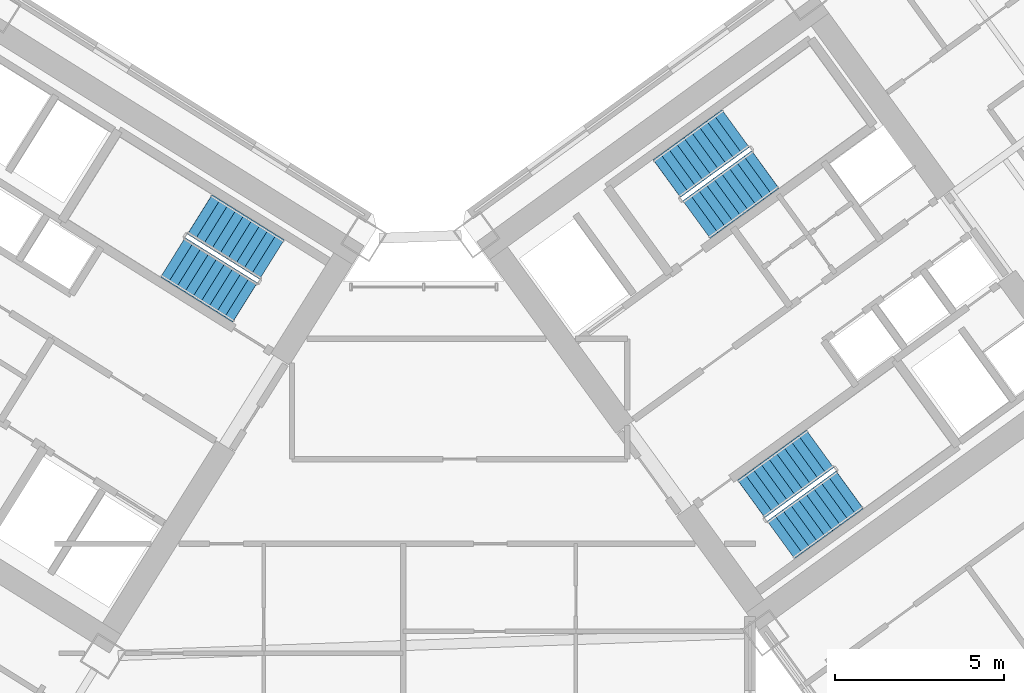
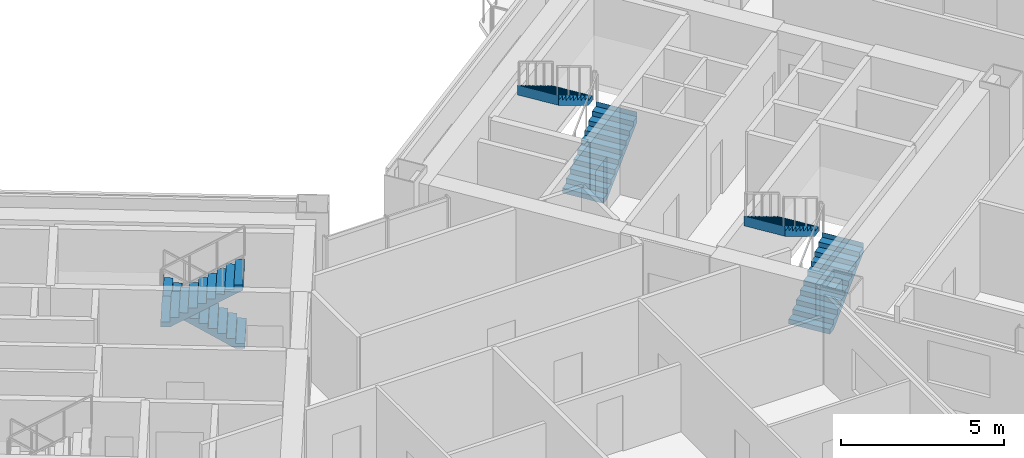
# One storey, part 20 of 28: 6 stair flights, 3 elements without a shape of their own.
"""IFC4 building model written with IfcOpenShell, lengths in metres."""

from ifc_helpers import new_model, si_unit, direction, frame, origin, place, context, subcontext, project, spatial, polyline, outline, extrude, source, transform, mapped, material, type_object, element, aggregate, save


model = new_model("IFC4")

# Units and contexts
model_context = context("Model", 3, precision=1e-05, world=origin(), true_north=direction((0.0, 1.0)))
body_context = subcontext(model_context, "Body", "Model", "MODEL_VIEW")
ifc_project = project(units=[si_unit("LENGTHUNIT", "METRE"), si_unit("AREAUNIT", "SQUARE_METRE"), si_unit("VOLUMEUNIT", "CUBIC_METRE"), si_unit("PLANEANGLEUNIT", "RADIAN"), si_unit("MASSUNIT", "GRAM", prefix="KILO")], contexts=[model_context])

# Site, building, storey
site_placement = place(None, origin())
site = spatial("IfcSite", under=ifc_project, at=site_placement, CompositionType="ELEMENT")
building_placement = place(site_placement, origin())
building = spatial("IfcBuilding", under=site, at=building_placement, Name="Tlacorven Tower", CompositionType="ELEMENT")
storey_placement = place(building_placement, frame((0.0, 0.0, 34.800048828125)))
storey = spatial("IfcBuildingStorey", under=building, at=storey_placement, Name="L08", CompositionType="ELEMENT", Elevation=34.800048828125)

# Stair, stair flights
ifc_material = material(Name="Concrete C40/50", Category="concrete")
stair_type = type_object("IfcStairType", Name="ST-CORE-DLG", PredefinedType="HALF_TURN_STAIR", material=ifc_material)
stair_1_placement = place(storey_placement, origin())
stair_1 = element("IfcStair", 1, at=stair_1_placement, inside=storey, type_object=stair_type, Name="L08 Protected Exit Stair West 2", PredefinedType="HALF_TURN_STAIR")
stair_flight_type = type_object("IfcStairFlightType", Name="SFL-RC-1380", PredefinedType="STRAIGHT", material=ifc_material)
shared_shape = source(origin(), body_context, "Body", "SweptSolid", [
    extrude(outline(polyline([(-0.0029296875, -0.0029296875), (-0.0029296875, 0.179931640625), (0.280029296875, 0.179931640625), (0.280029296875, 0.360107421875), (0.56005859375, 0.360107421875), (0.56005859375, 0.5400390625), (0.840087890625, 0.5400390625), (0.840087890625, 0.719970703125), (1.1201171875, 0.719970703125), (1.1201171875, 0.89990234375), (1.39990234375, 0.89990234375), (1.39990234375, 1.080078125), (1.679931640625, 1.080078125), (1.679931640625, 1.260009765625), (1.9599609375, 1.260009765625), (1.9599609375, 1.43994140625), (2.239990234375, 1.43994140625), (2.239990234375, 1.6201171875), (2.52001953125, 1.6201171875), (2.52001953125, 1.800048828125), (2.52294921875, 1.800048828125), (2.52294921875, 1.429931640625), (2.52001953125, 1.429931640625), (0.295654296875, 0.0), (0.295654296875, -0.0029296875), (-0.0029296875, -0.0029296875)])), frame((0.0, 0.68994140625, 0.0), z_axis=(0.0, -1.0, 0.0), x_axis=(1.0, 0.0, 0.0)), (0.0, 0.0, 1.0), 1.3798828125),
])
stair_flight_1_placement = place(storey_placement, frame((38.051513671875, 23.852294921875, 0.0), z_axis=(0.0, 0.0, 1.0), x_axis=(-0.848048096156, 0.529919264233, 0.0)))
stair_flight_1 = element("IfcStairFlight", 2, at=stair_flight_1_placement, type_object=stair_flight_type, Name="ST-W2 flight 1", NumberOfRisers=10, NumberOfTreads=9, PredefinedType="STRAIGHT", RiserHeight=0.18, TreadLength=0.28, context=body_context, shape_type="MappedRepresentation", body=[
    mapped(shared_shape, transform((0.0, 0.0, 0.0), scale=1.0)),
])
stair_flight_2_placement = place(storey_placement, frame((35.119384765625, 23.91552734375, 1.800048828125), z_axis=(0.0, 0.0, 1.0), x_axis=(0.848048096156, -0.529919264233, 0.0)))
stair_flight_2 = element("IfcStairFlight", 3, at=stair_flight_2_placement, type_object=stair_flight_type, Name="ST-W2 flight 2", NumberOfRisers=10, NumberOfTreads=9, PredefinedType="STRAIGHT", RiserHeight=0.18, TreadLength=0.28, context=body_context, shape_type="MappedRepresentation", body=[
    mapped(shared_shape, transform((0.0, 0.0, 0.0), scale=1.0)),
])
aggregate(stair_1, [stair_flight_1, stair_flight_2])

stair_2_placement = place(storey_placement, origin())
stair_2 = element("IfcStair", 4, at=stair_2_placement, inside=storey, type_object=stair_type, Name="L08 Protected Exit Stair East 1", PredefinedType="HALF_TURN_STAIR")
stair_flight_3_placement = place(storey_placement, frame((50.6533203125, 25.0400390625, 0.0), z_axis=(0.0, 0.0, 1.0), x_axis=(0.809016994375, 0.587785252292, 0.0)))
stair_flight_3 = element("IfcStairFlight", 5, at=stair_flight_3_placement, type_object=stair_flight_type, Name="ST-E1 flight 1", NumberOfRisers=10, NumberOfTreads=9, PredefinedType="STRAIGHT", RiserHeight=0.18, TreadLength=0.28, context=body_context, shape_type="MappedRepresentation", body=[
    mapped(shared_shape, transform((0.0, 0.0, 0.0), scale=1.0)),
])
stair_flight_4_placement = place(storey_placement, frame((51.810546875, 27.734619140625, 1.800048828125), z_axis=(0.0, 0.0, 1.0), x_axis=(-0.809016994375, -0.587785252292, 0.0)))
stair_flight_4 = element("IfcStairFlight", 6, at=stair_flight_4_placement, type_object=stair_flight_type, Name="ST-E1 flight 2", NumberOfRisers=10, NumberOfTreads=9, PredefinedType="STRAIGHT", RiserHeight=0.18, TreadLength=0.28, context=body_context, shape_type="MappedRepresentation", body=[
    mapped(shared_shape, transform((0.0, 0.0, 0.0), scale=1.0)),
])
aggregate(stair_2, [stair_flight_3, stair_flight_4])

stair_3_placement = place(storey_placement, origin())
stair_3 = element("IfcStair", 7, at=stair_3_placement, inside=storey, type_object=stair_type, Name="L08 Protected Exit Stair East 2", PredefinedType="HALF_TURN_STAIR")
stair_flight_5_placement = place(storey_placement, frame((53.157470703125, 15.536865234375, 0.0), z_axis=(0.0, 0.0, 1.0), x_axis=(0.809016994375, 0.587785252292, 0.0)))
stair_flight_5 = element("IfcStairFlight", 8, at=stair_flight_5_placement, type_object=stair_flight_type, Name="ST-E2 flight 1", NumberOfRisers=10, NumberOfTreads=9, PredefinedType="STRAIGHT", RiserHeight=0.18, TreadLength=0.28, context=body_context, shape_type="MappedRepresentation", body=[
    mapped(shared_shape, transform((0.0, 0.0, 0.0), scale=1.0)),
])
stair_flight_6_placement = place(storey_placement, frame((54.314453125, 18.231689453125, 1.800048828125), z_axis=(0.0, 0.0, 1.0), x_axis=(-0.809016994375, -0.587785252292, 0.0)))
stair_flight_6 = element("IfcStairFlight", 9, at=stair_flight_6_placement, type_object=stair_flight_type, Name="ST-E2 flight 2", NumberOfRisers=10, NumberOfTreads=9, PredefinedType="STRAIGHT", RiserHeight=0.18, TreadLength=0.28, context=body_context, shape_type="MappedRepresentation", body=[
    mapped(shared_shape, transform((0.0, 0.0, 0.0), scale=1.0)),
])
aggregate(stair_3, [stair_flight_5, stair_flight_6])

save(model, "model.ifc")
